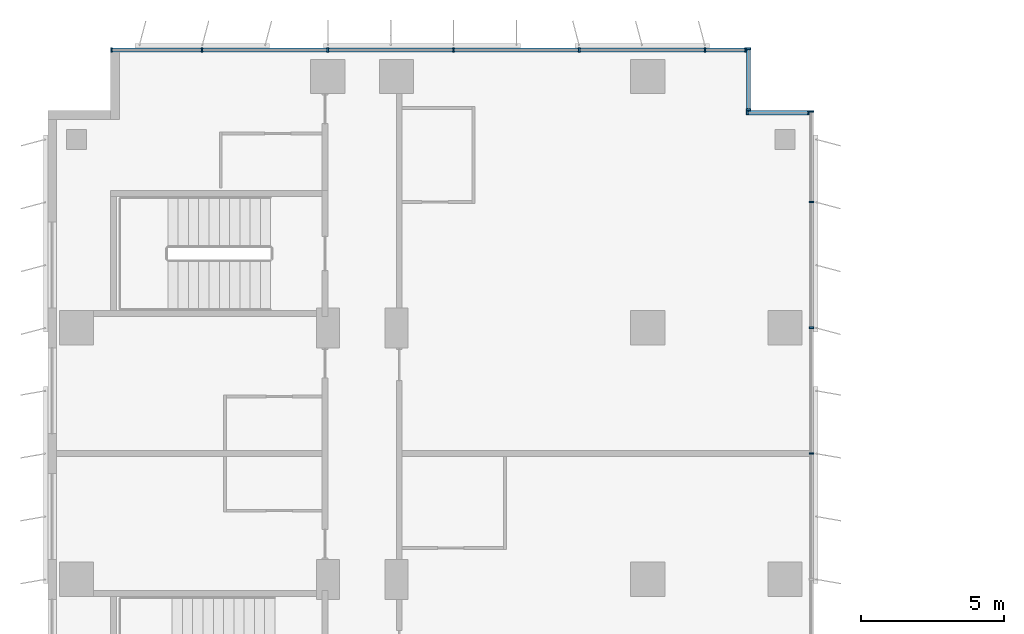
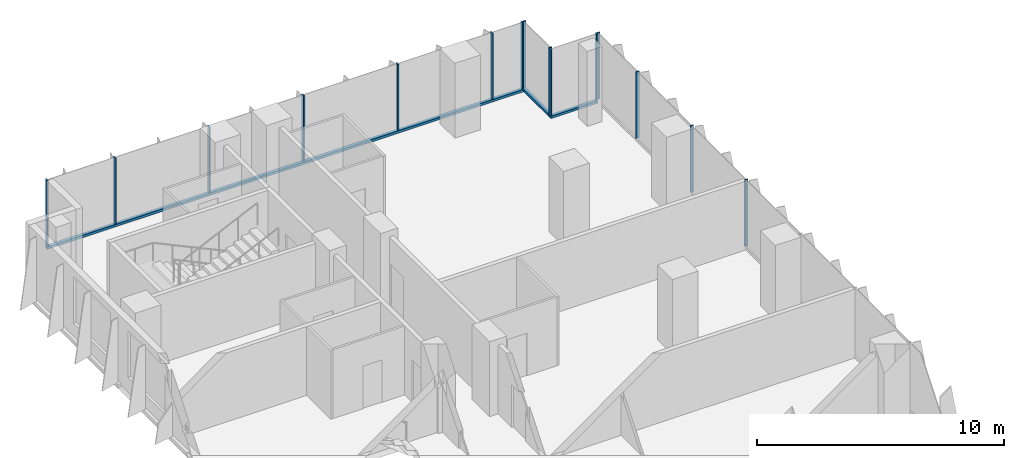
# One storey, part 9 of 23: 18 members, 4 elements without a shape of their own.
"""IFC4 building model written with IfcOpenShell, lengths in metres."""

from ifc_helpers import new_model, si_unit, direction, frame, origin, origin_2d, place, context, subcontext, project, spatial, rectangle, extrude, source, transform, mapped, material, material_profile, profile_set, type_object, element, aggregate, save


model = new_model("IFC4")

# Units and contexts
model_context = context("Model", 3, precision=1e-05, world=origin(), true_north=direction((0.0, 1.0)))
body_context = subcontext(model_context, "Body", "Model", "MODEL_VIEW")
ifc_project = project(units=[si_unit("LENGTHUNIT", "METRE"), si_unit("AREAUNIT", "SQUARE_METRE"), si_unit("VOLUMEUNIT", "CUBIC_METRE"), si_unit("PLANEANGLEUNIT", "RADIAN"), si_unit("MASSUNIT", "GRAM", prefix="KILO")], contexts=[model_context])

# Site, building, storey
site_placement = place(None, origin())
site = spatial("IfcSite", under=ifc_project, at=site_placement, CompositionType="ELEMENT")
building_placement = place(site_placement, origin())
building = spatial("IfcBuilding", under=site, at=building_placement, Name="Kemantara Hotel Tower", CompositionType="ELEMENT")
storey_placement = place(building_placement, frame((0.0, 0.0, 138.300048828125)))
storey = spatial("IfcBuildingStorey", under=building, at=storey_placement, Name="L33", CompositionType="ELEMENT", Elevation=138.300048828125)

# Curtain wall, member
ifc_material_1 = material(Name="Low-E tinted double insulated glass 36 mm", Category="glass")
curtain_wall_type = type_object("IfcCurtainWallType", Name="TOWER CURTAIN WALL, FRONT FACES", PredefinedType="USERDEFINED", material=ifc_material_1)
curtain_wall_1_placement = place(storey_placement, origin())
curtain_wall_1 = element("IfcCurtainWall", 1, at=curtain_wall_1_placement, inside=storey, type_object=curtain_wall_type, Name="CW4 L33 T2-R01-1", ObjectType="TOWER CURTAIN WALL, FRONT FACES", PredefinedType="USERDEFINED")
ifc_material_2 = material(Name="Aluminium 6063-T6 bronze anodised", Category="aluminium")
ifc_material_profile_1 = material_profile(ifc_material_2, rectangle(XDim=0.14990234375, YDim=0.1201171875, at=origin_2d()), Name="TOWER CURTAIN WALL, FRONT FACES TRANSOM")
ifc_profile_set_1 = profile_set([ifc_material_profile_1], Name="Aluminium 6063-T6 bronze anodised")
member_type_1 = type_object("IfcMemberType", Name="TOWER CURTAIN WALL, FRONT FACES TRANSOM", PredefinedType="USERDEFINED", material=ifc_profile_set_1)
member_1_placement = place(storey_placement, frame((24.449951171875, 81.125, 0.06005859375), z_axis=(-1.0, 0.0, 0.0), x_axis=(0.0, -1.0, 0.0)))
member_1 = element("IfcMember", 2, at=member_1_placement, type_object=member_type_1, Name="CW4 sill transom T2-R01-1", ObjectType="TRANSOM", PredefinedType="USERDEFINED", context=body_context, shape_type="SweptSolid", body=[
    extrude(rectangle(XDim=0.14990234375, YDim=0.1201171875, at=origin_2d()), origin(), (0.0, 0.0, 1.0), 22.25),
])

curtain_wall_2_placement = place(storey_placement, origin())
curtain_wall_2 = element("IfcCurtainWall", 3, at=curtain_wall_2_placement, inside=storey, type_object=curtain_wall_type, Name="CW4 L33 T2-R00-1", ObjectType="TOWER CURTAIN WALL, FRONT FACES", PredefinedType="USERDEFINED")
member_2_placement = place(storey_placement, frame((24.52490234375, 79.0, 0.06005859375), z_axis=(0.0, 1.0, 0.0), x_axis=(-1.0, 0.0, 0.0)))
member_2 = element("IfcMember", 4, at=member_2_placement, type_object=member_type_1, Name="CW4 sill transom T2-R00-1", ObjectType="TRANSOM", PredefinedType="USERDEFINED", context=body_context, shape_type="SweptSolid", body=[
    extrude(rectangle(XDim=0.14990234375, YDim=0.1201171875, at=origin_2d()), origin(), (0.0, 0.0, 1.0), 2.199951171875),
])

curtain_wall_3_placement = place(storey_placement, origin())
curtain_wall_3 = element("IfcCurtainWall", 5, at=curtain_wall_3_placement, inside=storey, type_object=curtain_wall_type, Name="CW4 L33 T2-R15-1", ObjectType="TOWER CURTAIN WALL, FRONT FACES", PredefinedType="USERDEFINED")
member_3_placement = place(storey_placement, frame((26.64990234375, 78.925048828125, 0.06005859375), z_axis=(-1.0, 0.0, 0.0), x_axis=(0.0, -1.0, 0.0)))
member_3 = element("IfcMember", 6, at=member_3_placement, type_object=member_type_1, Name="CW4 sill transom T2-R15-1", ObjectType="TRANSOM", PredefinedType="USERDEFINED", context=body_context, shape_type="SweptSolid", body=[
    extrude(rectangle(XDim=0.14990234375, YDim=0.1201171875, at=origin_2d()), origin(), (0.0, 0.0, 1.0), 2.199951171875),
])

# Member
ifc_material_profile_2 = material_profile(ifc_material_2, rectangle(XDim=0.14990234375, YDim=0.06005859375, at=origin_2d()), Name="TOWER CURTAIN WALL, FRONT FACES MULLION")
ifc_profile_set_2 = profile_set([ifc_material_profile_2], Name="Aluminium 6063-T6 bronze anodised")
member_type_2 = type_object("IfcMemberType", Name="TOWER CURTAIN WALL, FRONT FACES MULLION", PredefinedType="MULLION", material=ifc_profile_set_2)
shared_shape = source(origin(), body_context, "Body", "SweptSolid", [
    extrude(rectangle(XDim=0.14990234375, YDim=0.06005859375, at=origin_2d()), origin(), (0.0, 0.0, 1.0), 3.280029296875),
])
member_4_placement = place(storey_placement, frame((24.419921875, 81.125, 0.119873046875), z_axis=(0.0, 0.0, 1.0), x_axis=(0.0, -1.0, 0.0)))
member_4 = element("IfcMember", 7, at=member_4_placement, type_object=member_type_2, Name="CW4 mullion T2-R01-1.1", PredefinedType="MULLION", context=body_context, shape_type="MappedRepresentation", body=[
    mapped(shared_shape, transform((0.0, 0.0, 0.0))),
])

member_5_placement = place(storey_placement, frame((23.0, 81.125, 0.119873046875), z_axis=(0.0, 0.0, 1.0), x_axis=(0.0, -1.0, 0.0)))
member_5 = element("IfcMember", 8, at=member_5_placement, type_object=member_type_2, Name="CW4 mullion T2-R01-1.2", PredefinedType="MULLION", context=body_context, shape_type="MappedRepresentation", body=[
    mapped(shared_shape, transform((0.0, 0.0, 0.0))),
])

member_6_placement = place(storey_placement, frame((18.60009765625, 81.125, 0.119873046875), z_axis=(0.0, 0.0, 1.0), x_axis=(0.0, -1.0, 0.0)))
member_6 = element("IfcMember", 9, at=member_6_placement, type_object=member_type_2, Name="CW4 mullion T2-R01-1.3", PredefinedType="MULLION", context=body_context, shape_type="MappedRepresentation", body=[
    mapped(shared_shape, transform((0.0, 0.0, 0.0))),
])

member_7_placement = place(storey_placement, frame((14.199951171875, 81.125, 0.119873046875), z_axis=(0.0, 0.0, 1.0), x_axis=(0.0, -1.0, 0.0)))
member_7 = element("IfcMember", 10, at=member_7_placement, type_object=member_type_2, Name="CW4 mullion T2-R01-1.4", PredefinedType="MULLION", context=body_context, shape_type="MappedRepresentation", body=[
    mapped(shared_shape, transform((0.0, 0.0, 0.0))),
])

member_8_placement = place(storey_placement, frame((9.800048828125, 81.125, 0.119873046875), z_axis=(0.0, 0.0, 1.0), x_axis=(0.0, -1.0, 0.0)))
member_8 = element("IfcMember", 11, at=member_8_placement, type_object=member_type_2, Name="CW4 mullion T2-R01-1.5", PredefinedType="MULLION", context=body_context, shape_type="MappedRepresentation", body=[
    mapped(shared_shape, transform((0.0, 0.0, 0.0))),
])

member_9_placement = place(storey_placement, frame((5.39990234375, 81.125, 0.119873046875), z_axis=(0.0, 0.0, 1.0), x_axis=(0.0, -1.0, 0.0)))
member_9 = element("IfcMember", 12, at=member_9_placement, type_object=member_type_2, Name="CW4 mullion T2-R01-1.6", PredefinedType="MULLION", context=body_context, shape_type="MappedRepresentation", body=[
    mapped(shared_shape, transform((0.0, 0.0, 0.0))),
])

member_10_placement = place(storey_placement, frame((2.22998046875, 81.125, 0.119873046875), z_axis=(0.0, 0.0, 1.0), x_axis=(0.0, -1.0, 0.0)))
member_10 = element("IfcMember", 13, at=member_10_placement, type_object=member_type_2, Name="CW4 mullion T2-R01-1.7", PredefinedType="MULLION", context=body_context, shape_type="MappedRepresentation", body=[
    mapped(shared_shape, transform((0.0, 0.0, 0.0))),
])

aggregate(curtain_wall_1, [member_1, member_4, member_5, member_6, member_7, member_8, member_9, member_10])

# Curtain wall, members
curtain_wall_4_placement = place(storey_placement, origin())
curtain_wall_4 = element("IfcCurtainWall", 14, at=curtain_wall_4_placement, inside=storey, type_object=curtain_wall_type, Name="CW4 L33 T2-R14-1", ObjectType="TOWER CURTAIN WALL, FRONT FACES", PredefinedType="USERDEFINED")
member_11_placement = place(storey_placement, frame((26.72509765625, 67.0, 0.119873046875), z_axis=(0.0, 0.0, 1.0), x_axis=(-1.0, 0.0, 0.0)))
member_11 = element("IfcMember", 15, at=member_11_placement, type_object=member_type_2, Name="CW4 mullion T2-R14-1.12", PredefinedType="MULLION", context=body_context, shape_type="MappedRepresentation", body=[
    mapped(shared_shape, transform((0.0, 0.0, 0.0))),
])
member_12_placement = place(storey_placement, frame((26.72509765625, 71.39990234375, 0.119873046875), z_axis=(0.0, 0.0, 1.0), x_axis=(-1.0, 0.0, 0.0)))
member_12 = element("IfcMember", 16, at=member_12_placement, type_object=member_type_2, Name="CW4 mullion T2-R14-1.13", PredefinedType="MULLION", context=body_context, shape_type="MappedRepresentation", body=[
    mapped(shared_shape, transform((0.0, 0.0, 0.0))),
])
member_13_placement = place(storey_placement, frame((26.72509765625, 75.800048828125, 0.119873046875), z_axis=(0.0, 0.0, 1.0), x_axis=(-1.0, 0.0, 0.0)))
member_13 = element("IfcMember", 17, at=member_13_placement, type_object=member_type_2, Name="CW4 mullion T2-R14-1.14", PredefinedType="MULLION", context=body_context, shape_type="MappedRepresentation", body=[
    mapped(shared_shape, transform((0.0, 0.0, 0.0))),
])
member_14_placement = place(storey_placement, frame((26.72509765625, 78.969970703125, 0.119873046875), z_axis=(0.0, 0.0, 1.0), x_axis=(-1.0, 0.0, 0.0)))
member_14 = element("IfcMember", 18, at=member_14_placement, type_object=member_type_2, Name="CW4 mullion T2-R14-1.15", PredefinedType="MULLION", context=body_context, shape_type="MappedRepresentation", body=[
    mapped(shared_shape, transform((0.0, 0.0, 0.0))),
])
aggregate(curtain_wall_4, [member_11, member_12, member_13, member_14])

# Member
member_15_placement = place(storey_placement, frame((24.52490234375, 79.030029296875, 0.119873046875), z_axis=(0.0, 0.0, 1.0), x_axis=(-1.0, 0.0, 0.0)))
member_15 = element("IfcMember", 19, at=member_15_placement, type_object=member_type_2, Name="CW4 mullion T2-R00-1.1", PredefinedType="MULLION", context=body_context, shape_type="MappedRepresentation", body=[
    mapped(shared_shape, transform((0.0, 0.0, 0.0))),
])

member_16_placement = place(storey_placement, frame((24.52490234375, 81.169921875, 0.119873046875), z_axis=(0.0, 0.0, 1.0), x_axis=(-1.0, 0.0, 0.0)))
member_16 = element("IfcMember", 20, at=member_16_placement, type_object=member_type_2, Name="CW4 mullion T2-R00-1.2", PredefinedType="MULLION", context=body_context, shape_type="MappedRepresentation", body=[
    mapped(shared_shape, transform((0.0, 0.0, 0.0))),
])

aggregate(curtain_wall_2, [member_2, member_15, member_16])

member_17_placement = place(storey_placement, frame((26.6201171875, 78.925048828125, 0.119873046875), z_axis=(0.0, 0.0, 1.0), x_axis=(0.0, -1.0, 0.0)))
member_17 = element("IfcMember", 21, at=member_17_placement, type_object=member_type_2, Name="CW4 mullion T2-R15-1.1", PredefinedType="MULLION", context=body_context, shape_type="MappedRepresentation", body=[
    mapped(shared_shape, transform((0.0, 0.0, 0.0))),
])

member_18_placement = place(storey_placement, frame((24.47998046875, 78.925048828125, 0.119873046875), z_axis=(0.0, 0.0, 1.0), x_axis=(0.0, -1.0, 0.0)))
member_18 = element("IfcMember", 22, at=member_18_placement, type_object=member_type_2, Name="CW4 mullion T2-R15-1.2", PredefinedType="MULLION", context=body_context, shape_type="MappedRepresentation", body=[
    mapped(shared_shape, transform((0.0, 0.0, 0.0))),
])

aggregate(curtain_wall_3, [member_3, member_17, member_18])

save(model, "model.ifc")
